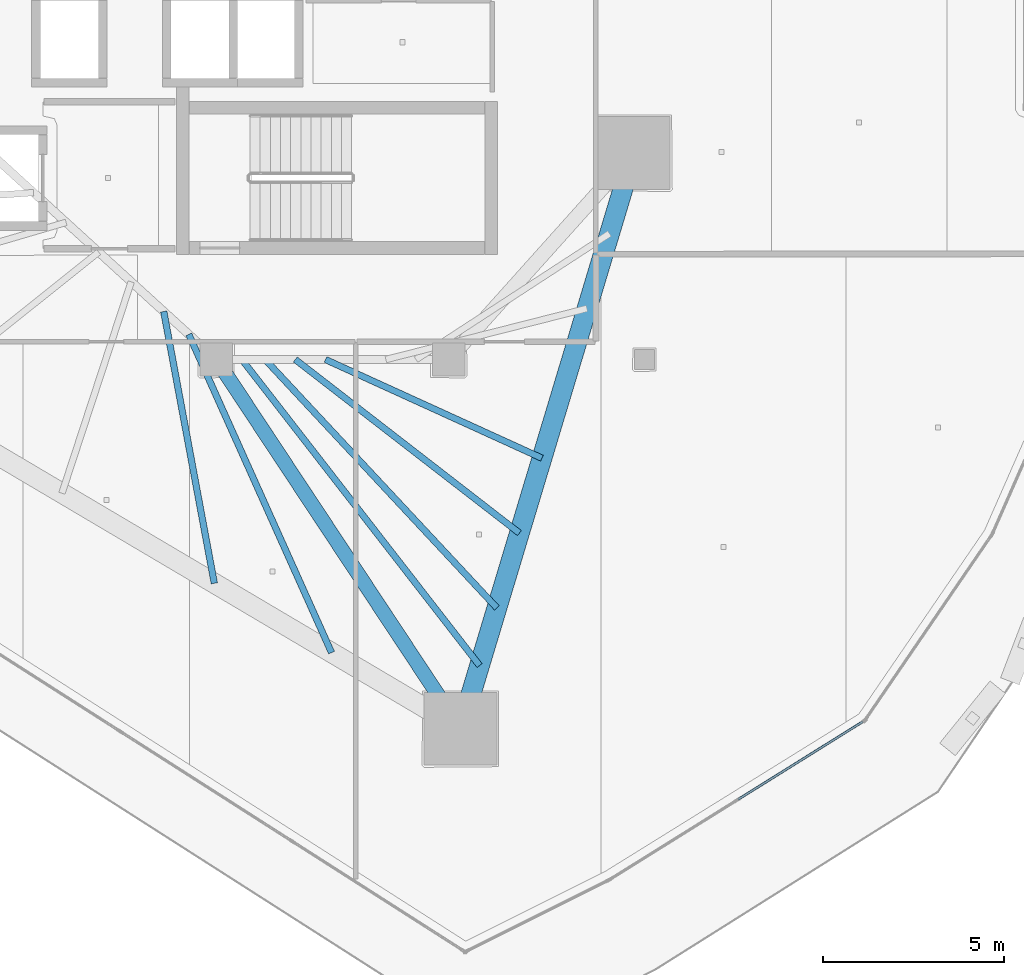
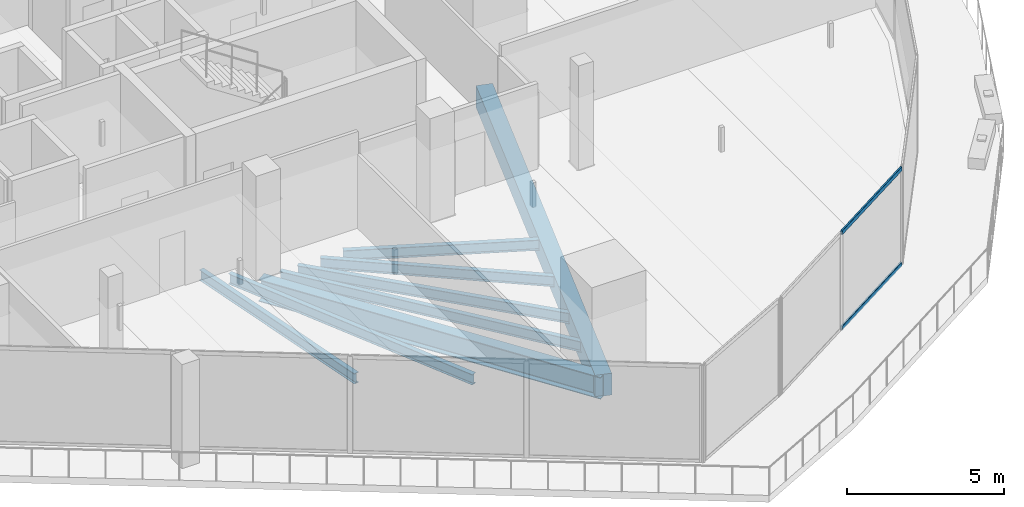
# One storey, part 11 of 37: 8 beams, 2 members, 1 element without a shape of its own.
"""IFC4 building model written with IfcOpenShell, lengths in metres."""

from ifc_helpers import new_model, si_unit, direction, frame, origin, origin_2d, place, context, subcontext, project, spatial, rectangle, hollow_rectangle, i_section, extrude, material, layer, layer_set, material_profile, profile_set, type_object, element, aggregate, save


model = new_model("IFC4")

# Units and contexts
model_context = context("Model", 3, precision=1e-05, world=origin(), true_north=direction((0.0, 1.0)))
body_context = subcontext(model_context, "Body", "Model", "MODEL_VIEW")
ifc_project = project(units=[si_unit("LENGTHUNIT", "METRE"), si_unit("AREAUNIT", "SQUARE_METRE"), si_unit("VOLUMEUNIT", "CUBIC_METRE"), si_unit("PLANEANGLEUNIT", "RADIAN"), si_unit("MASSUNIT", "GRAM", prefix="KILO")], contexts=[model_context])

# Site, building, storey
site_placement = place(None, origin())
site = spatial("IfcSite", under=ifc_project, at=site_placement, CompositionType="ELEMENT")
building_placement = place(site_placement, origin())
building = spatial("IfcBuilding", under=site, at=building_placement, Name="Qorvath Tower", CompositionType="ELEMENT")
storey_placement = place(building_placement, frame((0.0, 0.0, 196.949951171875)))
storey = spatial("IfcBuildingStorey", under=building, at=storey_placement, Name="L45", CompositionType="ELEMENT", Elevation=196.949951171875)

# Beams
ifc_material_1 = material(Name="Steel ASTM A992 Grade 50", Category="steel")
ifc_material_profile_1 = material_profile(ifc_material_1, i_section(OverallWidth=0.39892578125, OverallDepth=0.85498046875, WebThickness=0.018310546875, FlangeThickness=0.029296875, FilletRadius=0.02001953125, at=origin_2d()), Name="W33x201")
ifc_profile_set_1 = profile_set([ifc_material_profile_1], Name="Steel ASTM A992 Grade 50")
beam_type_1 = type_object("IfcBeamType", Name="BM-FG2", PredefinedType="BEAM", material=ifc_profile_set_1)
beam_1_placement = place(storey_placement, frame((-23.60009765625, -11.449951171875, -0.697509765625), z_axis=(0.551500517741, -0.834174549439, 0.0), x_axis=(0.834174549439, 0.551500517741, 0.0)))
element("IfcBeam", 1, at=beam_1_placement, inside=storey, type_object=beam_type_1, Name="Radial Floor Girder CC4-MC3 L45", PredefinedType="BEAM", context=body_context, shape_type="SweptSolid", body=[
    extrude(i_section(OverallWidth=0.39892578125, OverallDepth=0.85498046875, WebThickness=0.018310546875, FlangeThickness=0.029296875, FilletRadius=0.02001953125, at=origin_2d()), origin(), (0.0, 0.0, 1.0), 12.200439453125),
])
ifc_material_2 = material(Name="Steel ASTM A992 Grade 50", Category="steel")
ifc_material_profile_2 = material_profile(ifc_material_2, i_section(OverallWidth=0.177978515625, OverallDepth=0.406005859375, WebThickness=0.0078125, FlangeThickness=0.0126953125, FilletRadius=0.010986328125, at=origin_2d()), Name="W16x40")
ifc_profile_set_2 = profile_set([ifc_material_profile_2], Name="Steel ASTM A992 Grade 50")
beam_type_2 = type_object("IfcBeamType", Name="BM-FJ3", PredefinedType="JOIST", material=ifc_profile_set_2)
beam_2_placement = place(storey_placement, frame((-20.592041015625, -11.449951171875, -0.47314453125), z_axis=(0.909945081179, -0.414728765868, 0.0), x_axis=(0.414728765868, 0.909945081179, 0.0)))
element("IfcBeam", 2, at=beam_2_placement, inside=storey, type_object=beam_type_2, Name="Composite Floor Joist SE4 L45", PredefinedType="JOIST", context=body_context, shape_type="SweptSolid", body=[
    extrude(i_section(OverallWidth=0.177978515625, OverallDepth=0.406005859375, WebThickness=0.0078125, FlangeThickness=0.0126953125, FilletRadius=0.010986328125, at=origin_2d()), origin(), (0.0, 0.0, 1.0), 6.554931640625),
])
beam_3_placement = place(storey_placement, frame((-21.424072265625, -11.449951171875, -0.47314453125), z_axis=(0.790693445503, -0.612212279555, 0.0), x_axis=(0.612212279555, 0.790693445503, 0.0)))
element("IfcBeam", 3, at=beam_3_placement, inside=storey, type_object=beam_type_2, Name="Composite Floor Joist SE5 L45", PredefinedType="JOIST", context=body_context, shape_type="SweptSolid", body=[
    extrude(i_section(OverallWidth=0.177978515625, OverallDepth=0.406005859375, WebThickness=0.0078125, FlangeThickness=0.0126953125, FilletRadius=0.010986328125, at=origin_2d()), origin(), (0.0, 0.0, 1.0), 7.810546875),
])
beam_4_placement = place(storey_placement, frame((-22.256103515625, -11.449951171875, -0.47314453125), z_axis=(0.682249490937, -0.731119437654, 0.0), x_axis=(0.731119437654, 0.682249490937, 0.0)))
element("IfcBeam", 4, at=beam_4_placement, inside=storey, type_object=beam_type_2, Name="Composite Floor Joist SE6 L45", PredefinedType="JOIST", context=body_context, shape_type="SweptSolid", body=[
    extrude(i_section(OverallWidth=0.177978515625, OverallDepth=0.406005859375, WebThickness=0.0078125, FlangeThickness=0.0126953125, FilletRadius=0.010986328125, at=origin_2d()), origin(), (0.0, 0.0, 1.0), 9.362060546875),
])
beam_5_placement = place(storey_placement, frame((-22.89599609375, -11.449951171875, -0.47314453125), z_axis=(0.61345131907, -0.789732536452, 0.0), x_axis=(0.789732536452, 0.61345131907, 0.0)))
element("IfcBeam", 5, at=beam_5_placement, inside=storey, type_object=beam_type_2, Name="Composite Floor Joist SE7 L45", PredefinedType="JOIST", context=body_context, shape_type="SweptSolid", body=[
    extrude(i_section(OverallWidth=0.177978515625, OverallDepth=0.406005859375, WebThickness=0.0078125, FlangeThickness=0.0126953125, FilletRadius=0.010986328125, at=origin_2d()), origin(), (0.0, 0.0, 1.0), 10.676513671875),
])
beam_6_placement = place(storey_placement, frame((-25.049072265625, -10.126953125, -0.47314453125), z_axis=(0.183026775988, -0.983107928598, 0.0), x_axis=(0.983107928598, 0.183026775988, 0.0)))
element("IfcBeam", 6, at=beam_6_placement, inside=storey, type_object=beam_type_2, Name="Composite Floor Joist SW6 L45", PredefinedType="JOIST", context=body_context, shape_type="SweptSolid", body=[
    extrude(i_section(OverallWidth=0.177978515625, OverallDepth=0.406005859375, WebThickness=0.0078125, FlangeThickness=0.0126953125, FilletRadius=0.010986328125, at=origin_2d()), origin(), (0.0, 0.0, 1.0), 7.617919921875),
])
beam_7_placement = place(storey_placement, frame((-24.35888671875, -10.757080078125, -0.47314453125), z_axis=(0.409327209141, -0.912387656568, 0.0), x_axis=(0.912387656568, 0.409327209141, 0.0)))
element("IfcBeam", 7, at=beam_7_placement, inside=storey, type_object=beam_type_2, Name="Composite Floor Joist SW7 L45", PredefinedType="JOIST", context=body_context, shape_type="SweptSolid", body=[
    extrude(i_section(OverallWidth=0.177978515625, OverallDepth=0.406005859375, WebThickness=0.0078125, FlangeThickness=0.0126953125, FilletRadius=0.010986328125, at=origin_2d()), origin(), (0.0, 0.0, 1.0), 9.611083984375),
])
ifc_material_3 = material(Name="Concrete C50/60", Category="concrete")
ifc_material_profile_3 = material_profile(ifc_material_3, rectangle(XDim=0.550048828125, YDim=0.85009765625, at=origin_2d()), Name="RCB 850x550")
ifc_profile_set_3 = profile_set([ifc_material_profile_3], Name="Concrete C50/60")
beam_type_3 = type_object("IfcBeamType", Name="BM-RCB2", PredefinedType="SPANDREL", material=ifc_profile_set_3)
beam_8_placement = place(storey_placement, frame((-16.87158203125, -21.627197265625, -0.695068359375), z_axis=(0.28812763802, 0.957592013443, 0.0), x_axis=(-0.957592013443, 0.28812763802, 0.0)))
element("IfcBeam", 8, at=beam_8_placement, inside=storey, type_object=beam_type_3, Name="Perimeter Loggia Frame Beam MC3-MC4 L45", PredefinedType="SPANDREL", context=body_context, shape_type="SweptSolid", body=[
    extrude(rectangle(XDim=0.550048828125, YDim=0.85009765625, at=origin_2d()), origin(), (0.0, 0.0, 1.0), 16.572265625),
])

# Curtain wall, members
ifc_material_4 = material(Name="Anodised aluminium and triple low-E glass", Category="aluminium")
ifc_layer = layer(ifc_material_4, 0.179931640625)
ifc_layer_set = layer_set([ifc_layer], Name="CW-SYS-3")
curtain_wall_type = type_object("IfcCurtainWallType", Name="CW-SYS-3", PredefinedType="NOTDEFINED", material=ifc_layer_set)
curtain_wall_placement = place(storey_placement, origin())
curtain_wall = element("IfcCurtainWall", 9, at=curtain_wall_placement, inside=storey, type_object=curtain_wall_type, Name="Curtain Wall CW-3 CW-T-L45-4.1", PredefinedType="NOTDEFINED")
ifc_material_5 = material(Name="Anodised aluminium 6063-T6", Category="aluminium")
ifc_material_profile_4 = material_profile(ifc_material_5, hollow_rectangle(XDim=0.06494140625, YDim=0.159912109375, WallThickness=0.00341796875, InnerFilletRadius=0.00341796875, OuterFilletRadius=0.007080078125, at=origin_2d()), Name="CWT 160x65")
ifc_profile_set_4 = profile_set([ifc_material_profile_4], Name="Anodised aluminium 6063-T6")
member_type = type_object("IfcMemberType", Name="CWT-160", PredefinedType="USERDEFINED", material=ifc_profile_set_4)
member_1_placement = place(storey_placement, frame((-9.225830078125, -23.573486328125, 0.032470703125), z_axis=(0.848485179469, 0.529219141964, 0.0), x_axis=(-0.529219141964, 0.848485179469, 0.0)))
member_1 = element("IfcMember", 10, at=member_1_placement, type_object=member_type, Name="CW-3 transom 2.1", ObjectType="TRANSOM", PredefinedType="USERDEFINED", context=body_context, shape_type="SweptSolid", body=[
    extrude(hollow_rectangle(XDim=0.06494140625, YDim=0.159912109375, WallThickness=0.00341796875, InnerFilletRadius=0.00341796875, OuterFilletRadius=0.007080078125, at=origin_2d()), origin(), (0.0, 0.0, 1.0), 4.0537109375),
])
member_2_placement = place(storey_placement, frame((-9.225830078125, -23.573486328125, 3.74755859375), z_axis=(0.848485179469, 0.529219141964, 0.0), x_axis=(-0.529219141964, 0.848485179469, 0.0)))
member_2 = element("IfcMember", 11, at=member_2_placement, type_object=member_type, Name="CW-3 transom 2.2", ObjectType="TRANSOM", PredefinedType="USERDEFINED", context=body_context, shape_type="SweptSolid", body=[
    extrude(hollow_rectangle(XDim=0.06494140625, YDim=0.159912109375, WallThickness=0.00341796875, InnerFilletRadius=0.00341796875, OuterFilletRadius=0.007080078125, at=origin_2d()), origin(), (0.0, 0.0, 1.0), 4.0537109375),
])
aggregate(curtain_wall, [member_1, member_2])

save(model, "model.ifc")
